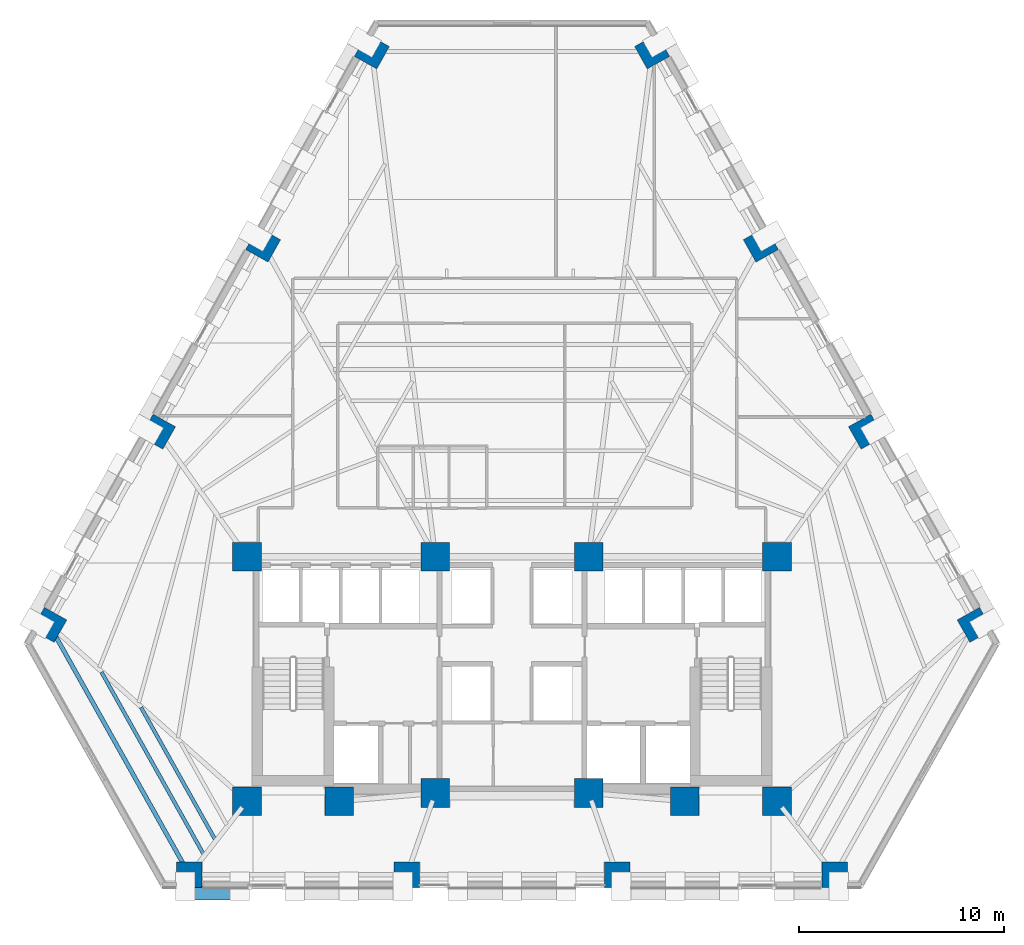
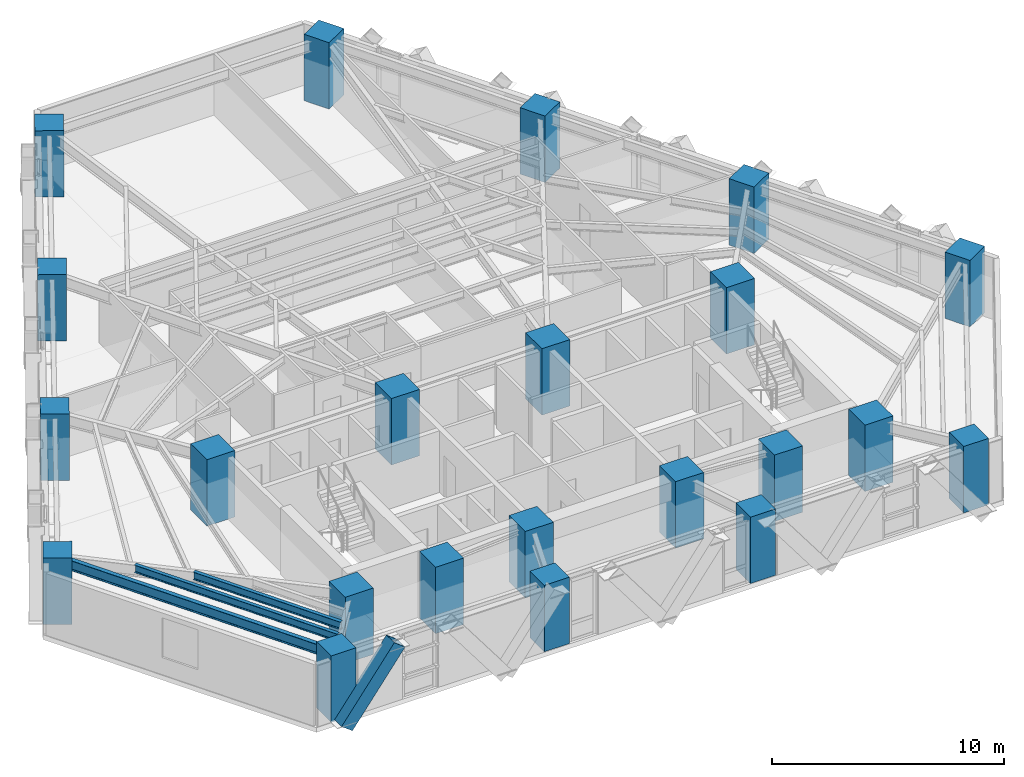
# One storey, part 1 of 13: 22 columns, 3 beams, 1 member.
"""IFC4 building model written with IfcOpenShell, lengths in metres."""

from ifc_helpers import new_model, si_unit, direction, frame, origin, origin_2d, place, context, subcontext, project, spatial, rectangle, hollow_rectangle, i_section, extrude, material, material_profile, profile_set, type_object, element, save


model = new_model("IFC4")

# Units and contexts
model_context = context("Model", 3, precision=1e-05, world=origin(), true_north=direction((0.0, 1.0)))
body_context = subcontext(model_context, "Body", "Model", "MODEL_VIEW")
ifc_project = project(units=[si_unit("LENGTHUNIT", "METRE"), si_unit("AREAUNIT", "SQUARE_METRE"), si_unit("VOLUMEUNIT", "CUBIC_METRE"), si_unit("PLANEANGLEUNIT", "RADIAN"), si_unit("MASSUNIT", "GRAM", prefix="KILO")], contexts=[model_context])

# Site, building, storey
site_placement = place(None, origin())
site = spatial("IfcSite", under=ifc_project, at=site_placement, CompositionType="ELEMENT")
building_placement = place(site_placement, origin())
building = spatial("IfcBuilding", under=site, at=building_placement, Name="Quenlor Broadcast Tower", CompositionType="ELEMENT")
storey_placement = place(building_placement, frame((0.0, 0.0, 59.10009765625)))
storey = spatial("IfcBuildingStorey", under=building, at=storey_placement, Name="L15", CompositionType="ELEMENT", Elevation=59.10009765625)

# Columns
ifc_material_1 = material(Name="Concrete C65/80", Category="concrete")
ifc_material_profile_1 = material_profile(ifc_material_1, rectangle(XDim=1.39990234375, YDim=1.39990234375, at=origin_2d()))
ifc_profile_set_1 = profile_set([ifc_material_profile_1], Name="Concrete C65/80 RC1400x1400")
column_type_1 = type_object("IfcColumnType", Name="Core Corner Column Lower Concrete C65/80 1400", PredefinedType="COLUMN", material=ifc_profile_set_1)
for number, where, z_axis, x_axis, name in (
    (1, (-12.949951171875, -16.75, 0.0), (0.0, 0.0, 1.0), (1.0, 0.0, 0.0), "L15 Core Column CC1"),
    (2, (-8.449951171875, -16.75, 0.0), (0.0, 0.0, 1.0), (1.0, 0.0, 0.0), "L15 Core Column CC2"),
    (3, (-3.75, -16.35009765625, 0.0), (0.0, 0.0, 1.0), (1.0, 0.0, 0.0), "L15 Core Column CC3"),
    (4, (3.75, -16.35009765625, 0.0), (0.0, 0.0, 1.0), (1.0, 0.0, 0.0), "L15 Core Column CC4"),
    (5, (8.449951171875, -16.75, 0.0), (0.0, 0.0, 1.0), (1.0, 0.0, 0.0), "L15 Core Column CC5"),
    (6, (12.949951171875, -16.75, 0.0), (0.0, 0.0, 1.0), (1.0, 0.0, 0.0), "L15 Core Column CC6"),
    (7, (-12.949951171875, -4.800048828125, 0.0), (0.0, 0.0, 1.0), (1.0, 0.0, 0.0), "L15 Core Column CC7"),
    (8, (-3.75, -4.800048828125, 0.0), (0.0, 0.0, 1.0), (1.0, 0.0, 0.0), "L15 Core Column CC8"),
    (9, (3.75, -4.800048828125, 0.0), (0.0, 0.0, 1.0), (1.0, 0.0, 0.0), "L15 Core Column CC9"),
    (10, (12.949951171875, -4.800048828125, 0.0), (0.0, 0.0, 1.0), (1.0, 0.0, 0.0), "L15 Core Column CC10"),
):
    element("IfcColumn", number, at=place(storey_placement, frame(where, z_axis=z_axis, x_axis=x_axis)), inside=storey, type_object=column_type_1, Name=name, PredefinedType="COLUMN", context=body_context, shape_type="SweptSolid", body=[
        extrude(rectangle(XDim=1.39990234375, YDim=1.39990234375, at=origin_2d()), origin(), (0.0, 0.0, 1.0), 3.5),
    ])
ifc_material_2 = material(Name="Concrete C65/80", Category="concrete")
ifc_material_profile_2 = material_profile(ifc_material_2, rectangle(XDim=1.25, YDim=1.25, at=origin_2d()))
ifc_profile_set_2 = profile_set([ifc_material_profile_2], Name="Concrete C65/80 RC1250x1250")
column_type_2 = type_object("IfcColumnType", Name="Tower Perimeter Column Z1 Concrete C65/80 1250", PredefinedType="COLUMN", material=ifc_profile_set_2)
for number, where, z_axis, x_axis, name in (
    (11, (-15.76513671875, -20.35009765625, 0.0), (0.0, 0.0, 1.0), (0.0, 1.0, 0.0), "L15 Perimeter Column S1"),
    (12, (-5.140869140625, -20.35009765625, 0.0), (0.0, 0.0, 1.0), (0.0, 1.0, 0.0), "L15 Perimeter Column S2"),
    (13, (5.140869140625, -20.35009765625, 0.0), (0.0, 0.0, 1.0), (0.0, 1.0, 0.0), "L15 Perimeter Column S3"),
    (14, (15.76513671875, -20.35009765625, 0.0), (0.0, 0.0, 1.0), (0.0, 1.0, 0.0), "L15 Perimeter Column S4"),
    (15, (22.6162109375, -8.132080078125, 0.0), (0.0, 0.0, 1.0), (0.871575139605, 0.490261946333, 0.0), "L15 Perimeter Column NE1"),
    (16, (17.303955078125, 1.311767578125, 0.0), (0.0, 0.0, 1.0), (0.871575139605, 0.490261946333, 0.0), "L15 Perimeter Column NE2"),
    (17, (12.1630859375, 10.450927734375, 0.0), (0.0, 0.0, 1.0), (0.871575139605, 0.490261946333, 0.0), "L15 Perimeter Column NE3"),
    (18, (6.850830078125, 19.894775390625, 0.0), (0.0, 0.0, 1.0), (0.871575139605, 0.490261946333, 0.0), "L15 Perimeter Column NE4"),
    (19, (-6.850830078125, 19.894775390625, 0.0), (0.0, 0.0, 1.0), (-0.871575139605, 0.490261946333, 0.0), "L15 Perimeter Column NW1"),
    (20, (-12.1630859375, 10.450927734375, 0.0), (0.0, 0.0, 1.0), (-0.871575139605, 0.490261946333, 0.0), "L15 Perimeter Column NW2"),
    (21, (-17.303955078125, 1.311767578125, 0.0), (0.0, 0.0, 1.0), (-0.871575139605, 0.490261946333, 0.0), "L15 Perimeter Column NW3"),
    (22, (-22.6162109375, -8.132080078125, 0.0), (0.0, 0.0, 1.0), (-0.871575139605, 0.490261946333, 0.0), "L15 Perimeter Column NW4"),
):
    element("IfcColumn", number, at=place(storey_placement, frame(where, z_axis=z_axis, x_axis=x_axis)), inside=storey, type_object=column_type_2, Name=name, PredefinedType="COLUMN", context=body_context, shape_type="SweptSolid", body=[
        extrude(rectangle(XDim=1.25, YDim=1.25, at=origin_2d()), origin(), (0.0, 0.0, 1.0), 3.5),
    ])

# Member
ifc_material_3 = material(Name="Steel S355", Category="steel")
ifc_material_profile_3 = material_profile(ifc_material_3, hollow_rectangle(XDim=0.679931640625, YDim=0.679931640625, WallThickness=0.034912109375, at=origin_2d()))
ifc_profile_set_3 = profile_set([ifc_material_profile_3], Name="Steel S355 RHS680x680x35")
member_type = type_object("IfcMemberType", Name="Perimeter Diagonal Lattice Brace Z1 Steel S355 RHS680x35", PredefinedType="BRACE", material=ifc_profile_set_3)
member_placement = place(storey_placement, frame((-15.945068359375, -21.235107421875, -0.1201171875), z_axis=(0.600463982679, 0.0, 0.799651802665), x_axis=(0.0, 1.0, 0.0)))
element("IfcMember", 23, at=member_placement, inside=storey, type_object=member_type, Name="L15 Perimeter Diamond Lattice S-C4B", PredefinedType="BRACE", context=body_context, shape_type="SweptSolid", body=[
    extrude(hollow_rectangle(XDim=0.679931640625, YDim=0.679931640625, WallThickness=0.034912109375, at=origin_2d()), origin(), (0.0, 0.0, 1.0), 4.376953125),
])

# Beams
ifc_material_4 = material(Name="Steel S355", Category="steel")
ifc_material_profile_4 = material_profile(ifc_material_4, i_section(OverallWidth=0.208984375, OverallDepth=0.532958984375, WebThickness=0.01025390625, FlangeThickness=0.015625, FilletRadius=0.013916015625, at=origin_2d()))
ifc_profile_set_4 = profile_set([ifc_material_profile_4], Name="Steel S355 530UB92.4")
beam_type_1 = type_object("IfcBeamType", Name="Perimeter Spandrel Beam Z1 Steel S355 530UB92.4", PredefinedType="SPANDREL", material=ifc_profile_set_4)
beam_1_placement = place(storey_placement, frame((-22.41552734375, -8.48974609375, 2.9833984375), z_axis=(0.489090917871, -0.87223280955, 0.0), x_axis=(0.87223280955, 0.489090917871, 0.0)))
element("IfcBeam", 24, at=beam_1_placement, inside=storey, type_object=beam_type_1, Name="L15 Spandrel Beam NW4-S1", PredefinedType="SPANDREL", context=body_context, shape_type="SweptSolid", body=[
    extrude(i_section(OverallWidth=0.208984375, OverallDepth=0.532958984375, WebThickness=0.01025390625, FlangeThickness=0.015625, FilletRadius=0.013916015625, at=origin_2d()), origin(), (0.0, 0.0, 1.0), 13.187744140625),
])
ifc_material_5 = material(Name="Steel S355", Category="steel")
ifc_material_profile_5 = material_profile(ifc_material_5, i_section(OverallWidth=0.177978515625, OverallDepth=0.406494140625, WebThickness=0.0078125, FlangeThickness=0.0126953125, FilletRadius=0.011474609375, at=origin_2d()))
ifc_profile_set_5 = profile_set([ifc_material_profile_5], Name="Steel S355 410UB59.7")
beam_type_2 = type_object("IfcBeamType", Name="Tower Composite Joist Z1 Steel S355 410UB59.7", PredefinedType="JOIST", material=ifc_profile_set_5)
beam_2_placement = place(storey_placement, frame((-14.50927734375, -18.624267578125, 3.046630859375), z_axis=(-0.489088249322, 0.872234305892, 0.0), x_axis=(-0.872234305892, -0.489088249322, 0.0)))
element("IfcBeam", 25, at=beam_2_placement, inside=storey, type_object=beam_type_2, Name="L15 Secondary Composite Joist 20", PredefinedType="JOIST", context=body_context, shape_type="SweptSolid", body=[
    extrude(i_section(OverallWidth=0.177978515625, OverallDepth=0.406494140625, WebThickness=0.0078125, FlangeThickness=0.0126953125, FilletRadius=0.011474609375, at=origin_2d()), origin(), (0.0, 0.0, 1.0), 7.404296875),
])
beam_3_placement = place(storey_placement, frame((-15.072265625, -19.34423828125, 3.046630859375), z_axis=(-0.489081877778, 0.872237878579, 0.0), x_axis=(-0.872237878579, -0.489081877778, 0.0)))
element("IfcBeam", 26, at=beam_3_placement, inside=storey, type_object=beam_type_2, Name="L15 Secondary Composite Joist 21", PredefinedType="JOIST", context=body_context, shape_type="SweptSolid", body=[
    extrude(i_section(OverallWidth=0.177978515625, OverallDepth=0.406494140625, WebThickness=0.0078125, FlangeThickness=0.0126953125, FilletRadius=0.011474609375, at=origin_2d()), origin(), (0.0, 0.0, 1.0), 10.205810546875),
])

save(model, "model.ifc")
